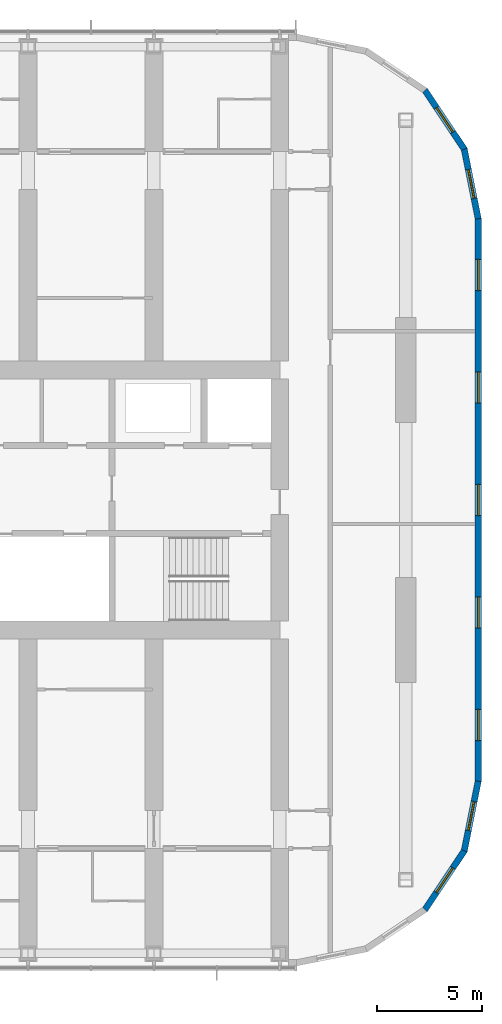
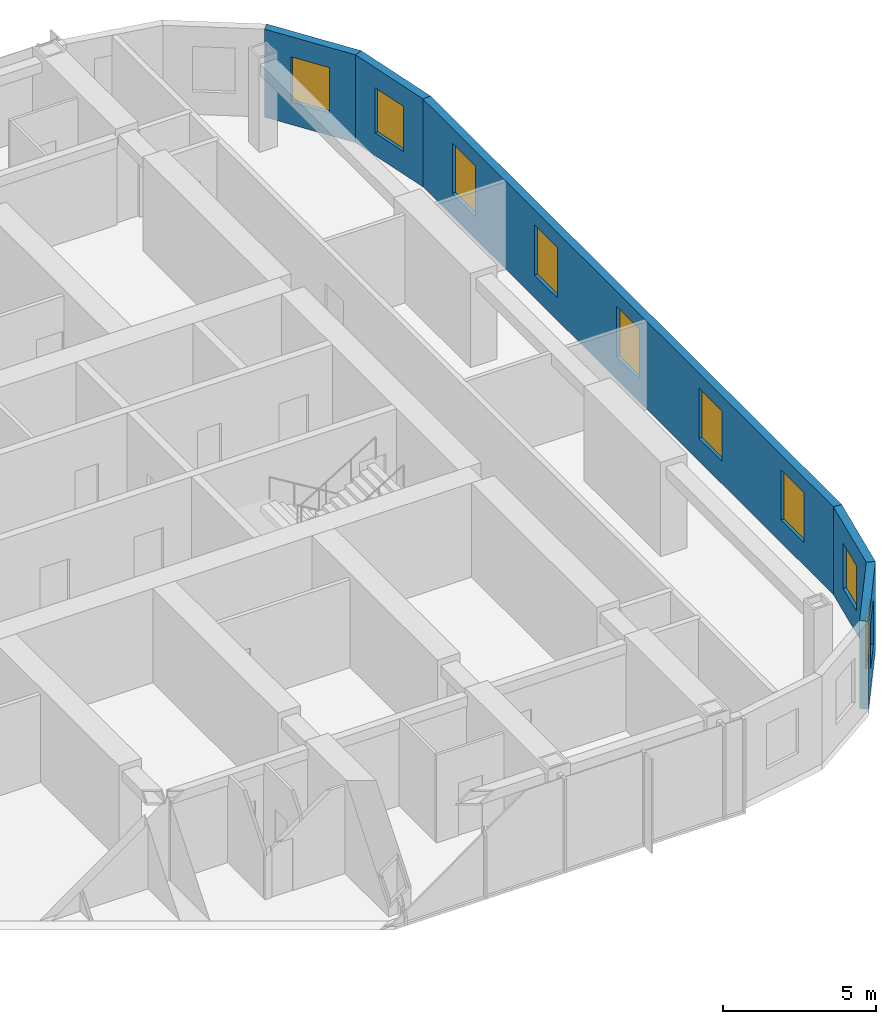
# One storey, part 17 of 22: 9 windows, 5 walls, 9 openings.
"""IFC4 building model written with IfcOpenShell, lengths in metres."""

import ifcopenshell
import ifcopenshell.guid

model = None  # the IFC model being written
_history = None  # IfcOwnerHistory: only IFC2X3 demands one
_inside = {}  # id of a spatial element -> (the spatial element, [elements in it])
_under = {}  # id of a project, library or spatial element -> (it, [spatial elements below it])
_declared = {}  # id of a project -> (the project, [libraries it declares])
_typed = {}  # id of a type object -> (the type object, [elements of that type])
_made_of = {}  # id of a material, layer set ... -> (it, [elements and type objects made of it])


def new_model(schema):
    """Start an empty IFC model of exactly this schema.

    Asked for "IFC4X3", IfcOpenShell would pick the latest addendum, in which some entities
    have other attributes; the version numbers below select the first issue.
    IFC2X3 requires an IfcOwnerHistory on every rooted entity: one is made here for all.
    """
    global model, _history
    if schema == "IFC4X3":
        model = ifcopenshell.file(schema_version=(4, 3, 0, 0))
    else:
        model = ifcopenshell.file(schema=schema)
    _inside.clear()
    _under.clear()
    _declared.clear()
    _typed.clear()
    _made_of.clear()
    _history = None
    if model.schema == "IFC2X3":
        org = make("IfcOrganization", Name="unknown")
        user = make(
            "IfcPersonAndOrganization",
            ThePerson=make("IfcPerson", FamilyName="unknown"),
            TheOrganization=org,
        )
        app = make(
            "IfcApplication",
            ApplicationDeveloper=org,
            Version="unknown",
            ApplicationFullName="unknown",
            ApplicationIdentifier="unknown",
        )
        _history = make(
            "IfcOwnerHistory",
            OwningUser=user,
            OwningApplication=app,
            ChangeAction="ADDED",
            CreationDate=0,
        )
    return model


def make(cls, **values):
    """One entity of the class cls with the attributes given. An attribute that is None is left unset."""
    return model.create_entity(
        cls, **{name: value for name, value in values.items() if value is not None}
    )


def rooted(cls, **values):
    """An entity with a GlobalId (a new one), such as an element, a storey or a relation."""
    return make(cls, GlobalId=ifcopenshell.guid.new(), OwnerHistory=_history, **values)


def si_unit(unit_type, name, prefix=None):
    """IfcSIUnit, for example si_unit("LENGTHUNIT", "METRE", prefix="MILLI")."""
    return make("IfcSIUnit", UnitType=unit_type, Prefix=prefix, Name=name)


def assignment(units):
    """IfcUnitAssignment: the units of a project."""
    return None if units is None else make("IfcUnitAssignment", Units=units)


def point(xyz):
    """IfcCartesianPoint."""
    return None if xyz is None else make("IfcCartesianPoint", Coordinates=xyz)


def direction(xyz):
    """IfcDirection."""
    return None if xyz is None else make("IfcDirection", DirectionRatios=xyz)


def frame(location, z_axis=None, x_axis=None):
    """IfcAxis2Placement3D, a coordinate frame: its origin and axes. An axis left out is left unset."""
    return make(
        "IfcAxis2Placement3D",
        Location=point(location),
        Axis=direction(z_axis),
        RefDirection=direction(x_axis),
    )


def frame_2d(location, x_axis=None):
    """IfcAxis2Placement2D, a coordinate frame in the plane: its origin and x axis."""
    return make(
        "IfcAxis2Placement2D", Location=point(location), RefDirection=direction(x_axis)
    )


def origin():
    """The frame at (0, 0, 0) with its axes left unset."""
    return frame((0.0, 0.0, 0.0))


def place(relative_to, where):
    """IfcLocalPlacement: puts the frame where relative to a parent placement (None: the world)."""
    return make(
        "IfcLocalPlacement", PlacementRelTo=relative_to, RelativePlacement=where
    )


def context(
    kind, dimensions, precision=None, world=None, true_north=None, identifier=None
):
    """IfcGeometricRepresentationContext, for example the 3D "Model" context."""
    return make(
        "IfcGeometricRepresentationContext",
        ContextIdentifier=identifier,
        ContextType=kind,
        CoordinateSpaceDimension=dimensions,
        Precision=precision,
        WorldCoordinateSystem=world,
        TrueNorth=true_north,
    )


def subcontext(parent, identifier, kind, view, scale=None):
    """IfcGeometricRepresentationSubContext, for example "Body" below "Model"."""
    return make(
        "IfcGeometricRepresentationSubContext",
        ContextIdentifier=identifier,
        ContextType=kind,
        ParentContext=parent,
        TargetScale=scale,
        TargetView=view,
    )


def project(units=None, contexts=None):
    """IfcProject with its units and contexts."""
    return rooted(
        "IfcProject",
        Name="project",
        RepresentationContexts=contexts,
        UnitsInContext=assignment(units),
    )


def spatial(cls, under=None, at=None, **own):
    """A site, building, storey or space (cls), placed at a placement, below another one or the project."""
    s = rooted(cls, ObjectPlacement=at, **own)
    if under is not None:
        _under.setdefault(under.id(), (under, []))[1].append(s)
    return s


def polyline(points):
    """IfcPolyline through the points."""
    return make("IfcPolyline", Points=[point(p) for p in points])


def profile(cls, at=None, kind="AREA", **sizes):
    """A parametric profile (cls). Its sizes go by their IFC names, for example OverallWidth=200.0."""
    return make(cls, ProfileType=kind, Position=at, **sizes)


def rectangle(**sizes):
    """IfcRectangleProfileDef."""
    return profile("IfcRectangleProfileDef", **sizes)


def outline(outer, holes=None, kind="AREA"):
    """IfcArbitraryClosedProfileDef: a profile drawn as a closed curve; with holes, ...WithVoids."""
    if holes is None:
        return make("IfcArbitraryClosedProfileDef", ProfileType=kind, OuterCurve=outer)
    return make(
        "IfcArbitraryProfileDefWithVoids",
        ProfileType=kind,
        OuterCurve=outer,
        InnerCurves=holes,
    )


def extrude(swept, where, along, depth):
    """IfcExtrudedAreaSolid: the profile swept, set in the frame where, extruded along a direction by depth."""
    return make(
        "IfcExtrudedAreaSolid",
        SweptArea=swept,
        Position=where,
        ExtrudedDirection=direction(along),
        Depth=depth,
    )


def shape(context_of_items, identifier, shape_type, items):
    """IfcShapeRepresentation: the items that make up one representation, for example the "Body"."""
    return make(
        "IfcShapeRepresentation",
        ContextOfItems=context_of_items,
        RepresentationIdentifier=identifier,
        RepresentationType=shape_type,
        Items=items,
    )


def material(Name=None, Category=None):
    """IfcMaterial."""
    return make("IfcMaterial", Name=Name, Category=Category)


def layer(
    of_material, thickness, ventilated=None, Name=None, Category=None, Priority=None
):
    """IfcMaterialLayer: one layer of a wall or slab, of a material (None: an air gap)."""
    return make(
        "IfcMaterialLayer",
        Material=of_material,
        LayerThickness=thickness,
        IsVentilated=ventilated,
        Name=Name,
        Category=Category,
        Priority=Priority,
    )


def layer_set(layers, Name=None):
    """IfcMaterialLayerSet."""
    return make("IfcMaterialLayerSet", MaterialLayers=layers, LayerSetName=Name)


def made_of(thing, what):
    """Note that an element or type object is made of a material, layer set ...; save() writes the relation."""
    if what is not None:
        _made_of.setdefault(what.id(), (what, []))[1].append(thing)
    return thing


def type_object(cls, material=None, **own):
    """A type object (cls), such as IfcWallType, which elements share."""
    return made_of(rooted(cls, **own), material)


def element(
    cls,
    number,
    at=None,
    inside=None,
    cuts=None,
    type_object=None,
    material=None,
    context=None,
    identifier="Body",
    shape_type=None,
    held_by="IfcProductDefinitionShape",
    body=None,
    shapes=None,
    **own,
):
    """One element of the class cls, such as IfcWall. Its Tag is "e" and its number.

    at: its placement. inside: the storey or other place that contains it. cuts: it is an
    opening in that element (IfcRelVoidsElement). A single representation is given by context,
    identifier, shape_type and body (its items); several are given by shapes. held_by: the class
    of the entity that holds the representations. save() writes the other relations.
    """
    e = rooted(cls, Tag="e%d" % number, ObjectPlacement=at, **own)
    if body is not None:
        shapes = [shape(context, identifier, shape_type, body)]
    if shapes is not None:
        e.Representation = make(held_by, Representations=shapes)
    if inside is not None:
        _inside.setdefault(inside.id(), (inside, []))[1].append(e)
    if cuts is not None:
        rooted(
            "IfcRelVoidsElement", RelatingBuildingElement=cuts, RelatedOpeningElement=e
        )
    if type_object is not None:
        _typed.setdefault(type_object.id(), (type_object, []))[1].append(e)
    return made_of(e, material)


def fill(opening, filler):
    """IfcRelFillsElement: the door or window that sits in an opening."""
    return rooted(
        "IfcRelFillsElement",
        RelatingOpeningElement=opening,
        RelatedBuildingElement=filler,
    )


def aggregate(whole, parts):
    """IfcRelAggregates: a whole, such as a stair, and the parts it consists of."""
    return rooted("IfcRelAggregates", RelatingObject=whole, RelatedObjects=parts)


def save(model, path):
    """Write the relations noted so far, then the file.

    IfcRelAggregates (storeys below a building ...), IfcRelContainedInSpatialStructure (elements
    in a storey), IfcRelDefinesByType, IfcRelAssociatesMaterial and IfcRelDeclares: one each for
    every whole, place, type object, material and project.
    """
    for whole, parts in _under.values():
        aggregate(whole, parts)
    for where, things in _inside.values():
        rooted(
            "IfcRelContainedInSpatialStructure",
            RelatedElements=things,
            RelatingStructure=where,
        )
    for kind, things in _typed.values():
        rooted("IfcRelDefinesByType", RelatedObjects=things, RelatingType=kind)
    for what, things in _made_of.values():
        rooted("IfcRelAssociatesMaterial", RelatedObjects=things, RelatingMaterial=what)
    for by, libraries in _declared.values():
        rooted("IfcRelDeclares", RelatingContext=by, RelatedDefinitions=libraries)
    model.write(path)


model = new_model("IFC4")

# Units and contexts
model_context = context("Model", 3, precision=1e-05, world=origin(), true_north=direction((0.0, 1.0)))
body_context = subcontext(model_context, "Body", "Model", "MODEL_VIEW")
ifc_project = project(units=[si_unit("LENGTHUNIT", "METRE"), si_unit("AREAUNIT", "SQUARE_METRE"), si_unit("VOLUMEUNIT", "CUBIC_METRE"), si_unit("PLANEANGLEUNIT", "RADIAN"), si_unit("MASSUNIT", "GRAM", prefix="KILO")], contexts=[model_context])

# Site, building, storey
site_placement = place(None, origin())
site = spatial("IfcSite", under=ifc_project, at=site_placement, CompositionType="ELEMENT")
building_placement = place(site_placement, origin())
building = spatial("IfcBuilding", under=site, at=building_placement, Name="Orbita Commons", CompositionType="ELEMENT")
storey_placement = place(building_placement, frame((0.0, 0.0, 152.35009765625)))
storey = spatial("IfcBuildingStorey", under=building, at=storey_placement, Name="L37", CompositionType="ELEMENT", Elevation=152.35009765625)

# Wall, openings, windows
ifc_material_1 = material(Name="Precast concrete C40/50, white board-marked finish", Category="concrete")
ifc_layer = layer(ifc_material_1, 0.300048828125)
ifc_layer_set = layer_set([ifc_layer], Name="Precast concrete C40/50, white board-marked finish")
wall_type = type_object("IfcWallType", Name="Precast concrete end shield 300", PredefinedType="SOLIDWALL", material=ifc_layer_set)
wall_1_placement = place(storey_placement, frame((75.449951171875, 18.60009765625, 0.0), z_axis=(0.0, 0.0, 1.0), x_axis=(0.0, 1.0, 0.0)))
wall_1 = element("IfcWall", 1, at=wall_1_placement, inside=storey, type_object=wall_type, Name="End shield E L37", PredefinedType="SOLIDWALL", context=body_context, shape_type="SweptSolid", body=[
    extrude(outline(polyline([(-0.014892578125, -0.14990234375), (26.814697265625, -0.14990234375), (26.784912109375, 0.14990234375), (0.014892578125, 0.14990234375), (-0.014892578125, -0.14990234375)])), origin(), (0.0, 0.0, 1.0), 3.5),
])
opening_1_placement = place(wall_1_placement, frame((1.929931640625, 0.0, 0.89990234375)))
opening_1 = element("IfcOpeningElement", 2, at=opening_1_placement, cuts=wall_1, Name="Opening W01", PredefinedType="OPENING", context=body_context, shape_type="SweptSolid", body=[
    extrude(rectangle(XDim=1.5, YDim=2.0, at=frame_2d((0.75, 1.0))), frame((0.0, 0.159912109375, 0.0), z_axis=(0.0, -1.0, 0.0), x_axis=(1.0, 0.0, 0.0)), (0.0, 0.0, 1.0), 0.320068359375),
])
opening_2_placement = place(wall_1_placement, frame((7.2900390625, 0.0, 0.89990234375)))
opening_2 = element("IfcOpeningElement", 3, at=opening_2_placement, cuts=wall_1, Name="Opening W01", PredefinedType="OPENING", context=body_context, shape_type="SweptSolid", body=[
    extrude(rectangle(XDim=1.5, YDim=2.0, at=frame_2d((0.75, 1.0))), frame((0.0, 0.159912109375, 0.0), z_axis=(0.0, -1.0, 0.0), x_axis=(1.0, 0.0, 0.0)), (0.0, 0.0, 1.0), 0.320068359375),
])
opening_3_placement = place(wall_1_placement, frame((12.64990234375, 0.0, 0.89990234375)))
opening_3 = element("IfcOpeningElement", 4, at=opening_3_placement, cuts=wall_1, Name="Opening W01", PredefinedType="OPENING", context=body_context, shape_type="SweptSolid", body=[
    extrude(rectangle(XDim=1.5, YDim=2.0, at=frame_2d((0.75, 1.0))), frame((0.0, 0.159912109375, 0.0), z_axis=(0.0, -1.0, 0.0), x_axis=(1.0, 0.0, 0.0)), (0.0, 0.0, 1.0), 0.320068359375),
])
opening_4_placement = place(wall_1_placement, frame((18.010009765625, 0.0, 0.89990234375)))
opening_4 = element("IfcOpeningElement", 5, at=opening_4_placement, cuts=wall_1, Name="Opening W01", PredefinedType="OPENING", context=body_context, shape_type="SweptSolid", body=[
    extrude(rectangle(XDim=1.5, YDim=2.0, at=frame_2d((0.75, 1.0))), frame((0.0, 0.159912109375, 0.0), z_axis=(0.0, -1.0, 0.0), x_axis=(1.0, 0.0, 0.0)), (0.0, 0.0, 1.0), 0.320068359375),
])
opening_5_placement = place(wall_1_placement, frame((23.3701171875, 0.0, 0.89990234375)))
opening_5 = element("IfcOpeningElement", 6, at=opening_5_placement, cuts=wall_1, Name="Opening W01", PredefinedType="OPENING", context=body_context, shape_type="SweptSolid", body=[
    extrude(rectangle(XDim=1.5, YDim=2.0, at=frame_2d((0.75, 1.0))), frame((0.0, 0.159912109375, 0.0), z_axis=(0.0, -1.0, 0.0), x_axis=(1.0, 0.0, 0.0)), (0.0, 0.0, 1.0), 0.320068359375),
])
ifc_material_2 = material(Name="Aluminium frame, clear double glazing", Category="aluminium")
window_type_1 = type_object("IfcWindowType", Name="Deep-set window 1500x2000", PartitioningType="SINGLE_PANEL", PredefinedType="WINDOW", material=ifc_material_2)
window_1_placement = place(opening_1_placement, origin())
window_1 = element("IfcWindow", 7, at=window_1_placement, inside=storey, type_object=window_type_1, Name="Window L37-E 1", OverallHeight=2.0, OverallWidth=1.5, PartitioningType="SINGLE_PANEL", PredefinedType="WINDOW", context=body_context, shape_type="SweptSolid", body=[
    extrude(rectangle(XDim=1.5, YDim=2.0, at=frame_2d((0.75, 1.0))), frame((0.0, 0.030029296875, 0.0), z_axis=(0.0, -1.0, 0.0), x_axis=(1.0, 0.0, 0.0)), (0.0, 0.0, 1.0), 0.06005859375),
])
fill(opening_1, window_1)
window_2_placement = place(opening_2_placement, origin())
window_2 = element("IfcWindow", 8, at=window_2_placement, inside=storey, type_object=window_type_1, Name="Window L37-E 2", OverallHeight=2.0, OverallWidth=1.5, PartitioningType="SINGLE_PANEL", PredefinedType="WINDOW", context=body_context, shape_type="SweptSolid", body=[
    extrude(rectangle(XDim=1.5, YDim=2.0, at=frame_2d((0.75, 1.0))), frame((0.0, 0.030029296875, 0.0), z_axis=(0.0, -1.0, 0.0), x_axis=(1.0, 0.0, 0.0)), (0.0, 0.0, 1.0), 0.06005859375),
])
fill(opening_2, window_2)
window_3_placement = place(opening_3_placement, origin())
window_3 = element("IfcWindow", 9, at=window_3_placement, inside=storey, type_object=window_type_1, Name="Window L37-E 3", OverallHeight=2.0, OverallWidth=1.5, PartitioningType="SINGLE_PANEL", PredefinedType="WINDOW", context=body_context, shape_type="SweptSolid", body=[
    extrude(rectangle(XDim=1.5, YDim=2.0, at=frame_2d((0.75, 1.0))), frame((0.0, 0.030029296875, 0.0), z_axis=(0.0, -1.0, 0.0), x_axis=(1.0, 0.0, 0.0)), (0.0, 0.0, 1.0), 0.06005859375),
])
fill(opening_3, window_3)
window_4_placement = place(opening_4_placement, origin())
window_4 = element("IfcWindow", 10, at=window_4_placement, inside=storey, type_object=window_type_1, Name="Window L37-E 4", OverallHeight=2.0, OverallWidth=1.5, PartitioningType="SINGLE_PANEL", PredefinedType="WINDOW", context=body_context, shape_type="SweptSolid", body=[
    extrude(rectangle(XDim=1.5, YDim=2.0, at=frame_2d((0.75, 1.0))), frame((0.0, 0.030029296875, 0.0), z_axis=(0.0, -1.0, 0.0), x_axis=(1.0, 0.0, 0.0)), (0.0, 0.0, 1.0), 0.06005859375),
])
fill(opening_4, window_4)
window_5_placement = place(opening_5_placement, origin())
window_5 = element("IfcWindow", 11, at=window_5_placement, inside=storey, type_object=window_type_1, Name="Window L37-E 5", OverallHeight=2.0, OverallWidth=1.5, PartitioningType="SINGLE_PANEL", PredefinedType="WINDOW", context=body_context, shape_type="SweptSolid", body=[
    extrude(rectangle(XDim=1.5, YDim=2.0, at=frame_2d((0.75, 1.0))), frame((0.0, 0.030029296875, 0.0), z_axis=(0.0, -1.0, 0.0), x_axis=(1.0, 0.0, 0.0)), (0.0, 0.0, 1.0), 0.06005859375),
])
fill(opening_5, window_5)

# Wall, opening, window
wall_2_placement = place(storey_placement, frame((72.91650390625, 12.4833984375, 0.0), z_axis=(0.0, 0.0, 1.0), x_axis=(0.555534554399, 0.831493450887, 0.0)))
wall_2 = element("IfcWall", 12, at=wall_2_placement, inside=storey, type_object=wall_type, Name="End shield SE chord 3 L37", PredefinedType="SOLIDWALL", context=body_context, shape_type="SweptSolid", body=[
    extrude(outline(polyline([(-0.02978515625, -0.14990234375), (3.405029296875, -0.14990234375), (3.345458984375, 0.14990234375), (0.02978515625, 0.14990234375), (-0.02978515625, -0.14990234375)])), origin(), (0.0, 0.0, 1.0), 3.5),
])
opening_6_placement = place(wall_2_placement, frame((0.987548828125, 0.0, 0.89990234375)))
opening_6 = element("IfcOpeningElement", 13, at=opening_6_placement, cuts=wall_2, Name="Opening W02", PredefinedType="OPENING", context=body_context, shape_type="SweptSolid", body=[
    extrude(rectangle(XDim=1.39990234375, YDim=1.800048828125, at=frame_2d((0.699951171875, 0.89990234375))), frame((0.0, 0.159912109375, 0.0), z_axis=(0.0, -1.0, 0.0), x_axis=(1.0, 0.0, 0.0)), (0.0, 0.0, 1.0), 0.320068359375),
])
ifc_material_3 = material(Name="Aluminium frame, clear double glazing", Category="aluminium")
window_type_2 = type_object("IfcWindowType", Name="Deep-set window 1400x1800", PartitioningType="SINGLE_PANEL", PredefinedType="WINDOW", material=ifc_material_3)
window_6_placement = place(opening_6_placement, origin())
window_6 = element("IfcWindow", 14, at=window_6_placement, inside=storey, type_object=window_type_2, Name="Window L37-SE2", OverallHeight=1.800048828125, OverallWidth=1.39990234375, PartitioningType="SINGLE_PANEL", PredefinedType="WINDOW", context=body_context, shape_type="SweptSolid", body=[
    extrude(rectangle(XDim=1.39990234375, YDim=1.800048828125, at=frame_2d((0.699951171875, 0.89990234375))), frame((0.0, 0.030029296875, 0.0), z_axis=(0.0, -1.0, 0.0), x_axis=(1.0, 0.0, 0.0)), (0.0, 0.0, 1.0), 0.06005859375),
])
fill(opening_6, window_6)

wall_3_placement = place(storey_placement, frame((74.79150390625, 15.289794921875, 0.0), z_axis=(0.0, 0.0, 1.0), x_axis=(0.19508664885, 0.980786011034, 0.0)))
wall_3 = element("IfcWall", 15, at=wall_3_placement, inside=storey, type_object=wall_type, Name="End shield SE chord 4 L37", PredefinedType="SOLIDWALL", context=body_context, shape_type="SweptSolid", body=[
    extrude(outline(polyline([(-0.02978515625, -0.14990234375), (3.39013671875, -0.14990234375), (3.3603515625, 0.14990234375), (0.02978515625, 0.14990234375), (-0.02978515625, -0.14990234375)])), origin(), (0.0, 0.0, 1.0), 3.5),
])
opening_7_placement = place(wall_3_placement, frame((0.987548828125, 0.0, 0.89990234375)))
opening_7 = element("IfcOpeningElement", 16, at=opening_7_placement, cuts=wall_3, Name="Opening W02", PredefinedType="OPENING", context=body_context, shape_type="SweptSolid", body=[
    extrude(rectangle(XDim=1.39990234375, YDim=1.800048828125, at=frame_2d((0.699951171875, 0.89990234375))), frame((0.0, 0.159912109375, 0.0), z_axis=(0.0, -1.0, 0.0), x_axis=(1.0, 0.0, 0.0)), (0.0, 0.0, 1.0), 0.320068359375),
])
window_7_placement = place(opening_7_placement, origin())
window_7 = element("IfcWindow", 17, at=window_7_placement, inside=storey, type_object=window_type_2, Name="Window L37-SE3", OverallHeight=1.800048828125, OverallWidth=1.39990234375, PartitioningType="SINGLE_PANEL", PredefinedType="WINDOW", context=body_context, shape_type="SweptSolid", body=[
    extrude(rectangle(XDim=1.39990234375, YDim=1.800048828125, at=frame_2d((0.699951171875, 0.89990234375))), frame((0.0, 0.030029296875, 0.0), z_axis=(0.0, -1.0, 0.0), x_axis=(1.0, 0.0, 0.0)), (0.0, 0.0, 1.0), 0.06005859375),
])
fill(opening_7, window_7)

wall_4_placement = place(storey_placement, frame((75.449951171875, 45.39990234375, 0.0), z_axis=(0.0, 0.0, 1.0), x_axis=(-0.19508664885, 0.980786011034, 0.0)))
wall_4 = element("IfcWall", 18, at=wall_4_placement, inside=storey, type_object=wall_type, Name="End shield NE chord 1 L37", PredefinedType="SOLIDWALL", context=body_context, shape_type="SweptSolid", body=[
    extrude(outline(polyline([(-0.014892578125, -0.14990234375), (3.405029296875, -0.14990234375), (3.345458984375, 0.14990234375), (0.014892578125, 0.14990234375), (-0.014892578125, -0.14990234375)])), origin(), (0.0, 0.0, 1.0), 3.5),
])
opening_8_placement = place(wall_4_placement, frame((0.987548828125, 0.0, 0.89990234375)))
opening_8 = element("IfcOpeningElement", 19, at=opening_8_placement, cuts=wall_4, Name="Opening W02", PredefinedType="OPENING", context=body_context, shape_type="SweptSolid", body=[
    extrude(rectangle(XDim=1.39990234375, YDim=1.800048828125, at=frame_2d((0.699951171875, 0.89990234375))), frame((0.0, 0.159912109375, 0.0), z_axis=(0.0, -1.0, 0.0), x_axis=(1.0, 0.0, 0.0)), (0.0, 0.0, 1.0), 0.320068359375),
])
window_8_placement = place(opening_8_placement, origin())
window_8 = element("IfcWindow", 20, at=window_8_placement, inside=storey, type_object=window_type_2, Name="Window L37-NE0", OverallHeight=1.800048828125, OverallWidth=1.39990234375, PartitioningType="SINGLE_PANEL", PredefinedType="WINDOW", context=body_context, shape_type="SweptSolid", body=[
    extrude(rectangle(XDim=1.39990234375, YDim=1.800048828125, at=frame_2d((0.699951171875, 0.89990234375))), frame((0.0, 0.030029296875, 0.0), z_axis=(0.0, -1.0, 0.0), x_axis=(1.0, 0.0, 0.0)), (0.0, 0.0, 1.0), 0.06005859375),
])
fill(opening_8, window_8)

wall_5_placement = place(storey_placement, frame((74.79150390625, 48.710205078125, 0.0), z_axis=(0.0, 0.0, 1.0), x_axis=(-0.555534554399, 0.831493450887, 0.0)))
wall_5 = element("IfcWall", 21, at=wall_5_placement, inside=storey, type_object=wall_type, Name="End shield NE chord 2 L37", PredefinedType="SOLIDWALL", context=body_context, shape_type="SweptSolid", body=[
    extrude(outline(polyline([(-0.02978515625, -0.14990234375), (3.405029296875, -0.14990234375), (3.345458984375, 0.14990234375), (0.02978515625, 0.14990234375), (-0.02978515625, -0.14990234375)])), origin(), (0.0, 0.0, 1.0), 3.5),
])
opening_9_placement = place(wall_5_placement, frame((0.987548828125, 0.0, 0.89990234375)))
opening_9 = element("IfcOpeningElement", 22, at=opening_9_placement, cuts=wall_5, Name="Opening W02", PredefinedType="OPENING", context=body_context, shape_type="SweptSolid", body=[
    extrude(rectangle(XDim=1.39990234375, YDim=1.800048828125, at=frame_2d((0.699951171875, 0.89990234375))), frame((0.0, 0.159912109375, 0.0), z_axis=(0.0, -1.0, 0.0), x_axis=(1.0, 0.0, 0.0)), (0.0, 0.0, 1.0), 0.320068359375),
])
window_9_placement = place(opening_9_placement, origin())
window_9 = element("IfcWindow", 23, at=window_9_placement, inside=storey, type_object=window_type_2, Name="Window L37-NE1", OverallHeight=1.800048828125, OverallWidth=1.39990234375, PartitioningType="SINGLE_PANEL", PredefinedType="WINDOW", context=body_context, shape_type="SweptSolid", body=[
    extrude(rectangle(XDim=1.39990234375, YDim=1.800048828125, at=frame_2d((0.699951171875, 0.89990234375))), frame((0.0, 0.030029296875, 0.0), z_axis=(0.0, -1.0, 0.0), x_axis=(1.0, 0.0, 0.0)), (0.0, 0.0, 1.0), 0.06005859375),
])
fill(opening_9, window_9)

save(model, "model.ifc")
